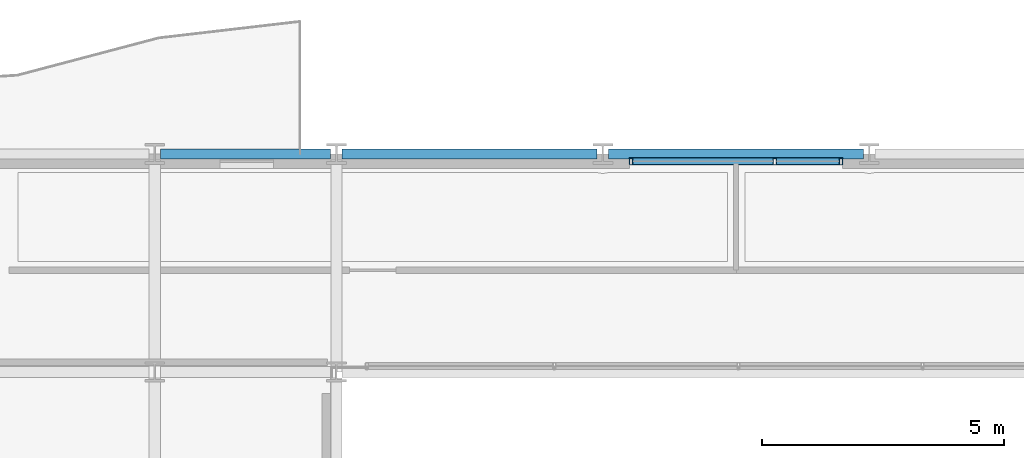
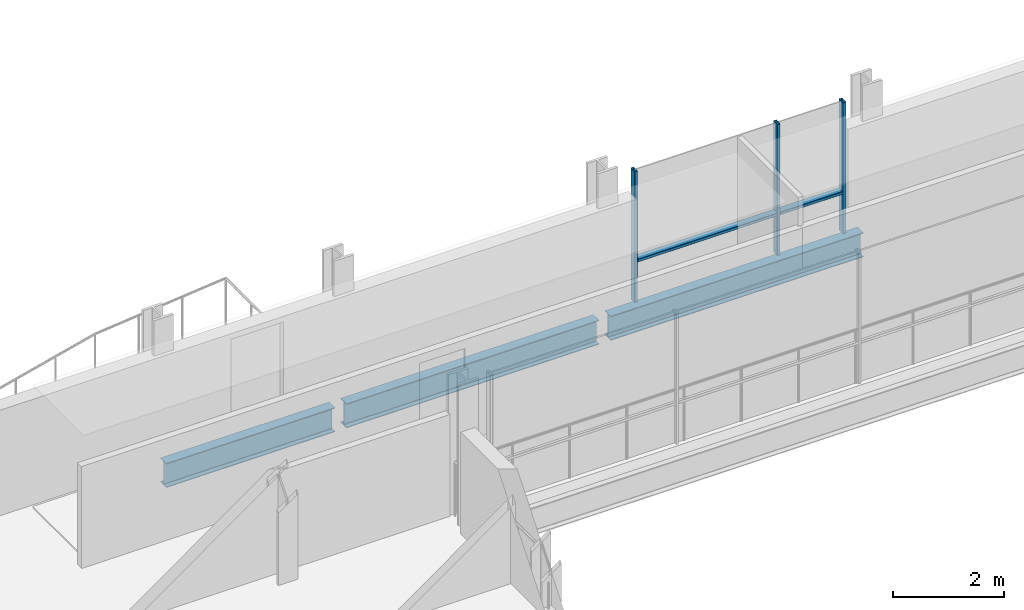
# One storey, part 22 of 41: 5 members, 3 beams, 1 element without a shape of its own.
"""IFC4 building model written with IfcOpenShell, lengths in metres."""

from ifc_helpers import new_model, si_unit, direction, frame, origin, origin_2d, place, context, subcontext, project, spatial, hollow_rectangle, i_section, extrude, material, layer, layer_set, material_profile, profile_set, type_object, element, aggregate, save


model = new_model("IFC4")

# Units and contexts
model_context = context("Model", 3, precision=1e-05, world=origin(), true_north=direction((0.0, 1.0)))
body_context = subcontext(model_context, "Body", "Model", "MODEL_VIEW")
ifc_project = project(units=[si_unit("LENGTHUNIT", "METRE"), si_unit("AREAUNIT", "SQUARE_METRE"), si_unit("VOLUMEUNIT", "CUBIC_METRE"), si_unit("PLANEANGLEUNIT", "RADIAN"), si_unit("MASSUNIT", "GRAM", prefix="KILO")], contexts=[model_context])

# Site, building, storey
site_placement = place(None, origin())
site = spatial("IfcSite", under=ifc_project, at=site_placement, CompositionType="ELEMENT")
building_placement = place(site_placement, origin())
building = spatial("IfcBuilding", under=site, at=building_placement, Name="Brevholm Reach", CompositionType="ELEMENT")
storey_placement = place(building_placement, frame((0.0, 0.0, 100.39990234375)))
storey = spatial("IfcBuildingStorey", under=building, at=storey_placement, Name="L29", CompositionType="ELEMENT", Elevation=100.39990234375)

# Beams
ifc_material_1 = material(Name="Structural Steel S355J2", Category="steel")
ifc_material_profile_1 = material_profile(ifc_material_1, i_section(OverallWidth=0.209228515625, OverallDepth=0.533203125, WebThickness=0.010009765625, FlangeThickness=0.015625, FilletRadius=0.0126953125, at=origin_2d()), Name="UKB 533x210x92")
ifc_profile_set_1 = profile_set([ifc_material_profile_1], Name="Structural Steel S355J2")
beam_type = type_object("IfcBeamType", Name="BM-SP533", PredefinedType="SPANDREL", material=ifc_profile_set_1)
beam_placement = place(storey_placement, frame((18.1201171875, 31.0, -0.486572265625), z_axis=(1.0, 0.0, 0.0), x_axis=(0.0, 1.0, 0.0)))
element("IfcBeam", 1, at=beam_placement, inside=storey, type_object=beam_type, Name="L29 SP-02 Framing Beam", PredefinedType="SPANDREL", context=body_context, shape_type="SweptSolid", body=[
    extrude(i_section(OverallWidth=0.209228515625, OverallDepth=0.533203125, WebThickness=0.010009765625, FlangeThickness=0.015625, FilletRadius=0.0126953125, at=origin_2d()), origin(), (0.0, 0.0, 1.0), 3.509765625),
])
for number, where, z_axis, x_axis, name in (
    (2, (21.8701171875, 31.0, -0.486572265625), (1.0, 0.0, 0.0), (0.0, 1.0, 0.0), "L29 SP-02 Framing Beam"),
    (3, (27.3701171875, 31.0, -0.486572265625), (1.0, 0.0, 0.0), (0.0, 1.0, 0.0), "L29 SP-02 Framing Beam"),
):
    element("IfcBeam", number, at=place(storey_placement, frame(where, z_axis=z_axis, x_axis=x_axis)), inside=storey, type_object=beam_type, Name=name, PredefinedType="SPANDREL", context=body_context, shape_type="SweptSolid", body=[
        extrude(i_section(OverallWidth=0.209228515625, OverallDepth=0.533203125, WebThickness=0.010009765625, FlangeThickness=0.015625, FilletRadius=0.0126953125, at=origin_2d()), origin(), (0.0, 0.0, 1.0), 5.259765625),
    ])

# Curtain wall, members
ifc_material_2 = material(Name="Dark Anodised Aluminium 6063-T6 and Solar-Control Glass", Category="aluminium")
ifc_layer = layer(ifc_material_2, 0.14990234375)
ifc_layer_set = layer_set([ifc_layer], Name="Dark Anodised Aluminium 6063-T6 and Solar-Control Glass")
curtain_wall_type = type_object("IfcCurtainWallType", Name="CW-01", PredefinedType="NOTDEFINED", material=ifc_layer_set)
curtain_wall_placement = place(storey_placement, origin())
curtain_wall = element("IfcCurtainWall", 4, at=curtain_wall_placement, inside=storey, type_object=curtain_wall_type, Name="L29 Curtain Wall CW-01", PredefinedType="NOTDEFINED")
ifc_material_3 = material(Name="Dark Anodised Aluminium 6063-T6", Category="aluminium")
ifc_material_profile_2 = material_profile(ifc_material_3, hollow_rectangle(XDim=0.06494140625, YDim=0.14990234375, WallThickness=0.0048828125, InnerFilletRadius=0.0048828125, OuterFilletRadius=0.010009765625, at=origin_2d()), Name="RHS 150x65x5")
ifc_profile_set_2 = profile_set([ifc_material_profile_2], Name="Dark Anodised Aluminium 6063-T6")
member_type_1 = type_object("IfcMemberType", Name="CWM-150", PredefinedType="MULLION", material=ifc_profile_set_2)
member_1_placement = place(storey_placement, frame((27.83251953125, 30.85009765625, 0.0), z_axis=(0.0, 0.0, 1.0), x_axis=(1.0, 0.0, 0.0)))
member_1 = element("IfcMember", 5, at=member_1_placement, type_object=member_type_1, Name="CM-150 Mullion 1", PredefinedType="MULLION", context=body_context, shape_type="SweptSolid", body=[
    extrude(hollow_rectangle(XDim=0.06494140625, YDim=0.14990234375, WallThickness=0.0048828125, InnerFilletRadius=0.0048828125, OuterFilletRadius=0.010009765625, at=origin_2d()), origin(), (0.0, 0.0, 1.0), 2.880126953125),
])
member_2_placement = place(storey_placement, frame((30.800048828125, 30.85009765625, 0.0), z_axis=(0.0, 0.0, 1.0), x_axis=(1.0, 0.0, 0.0)))
member_2 = element("IfcMember", 6, at=member_2_placement, type_object=member_type_1, Name="CM-150 Mullion 2", PredefinedType="MULLION", context=body_context, shape_type="SweptSolid", body=[
    extrude(hollow_rectangle(XDim=0.06494140625, YDim=0.14990234375, WallThickness=0.0048828125, InnerFilletRadius=0.0048828125, OuterFilletRadius=0.010009765625, at=origin_2d()), origin(), (0.0, 0.0, 1.0), 2.880126953125),
])
member_3_placement = place(storey_placement, frame((32.16748046875, 30.85009765625, 0.0), z_axis=(0.0, 0.0, 1.0), x_axis=(1.0, 0.0, 0.0)))
member_3 = element("IfcMember", 7, at=member_3_placement, type_object=member_type_1, Name="CM-150 Mullion 3", PredefinedType="MULLION", context=body_context, shape_type="SweptSolid", body=[
    extrude(hollow_rectangle(XDim=0.06494140625, YDim=0.14990234375, WallThickness=0.0048828125, InnerFilletRadius=0.0048828125, OuterFilletRadius=0.010009765625, at=origin_2d()), origin(), (0.0, 0.0, 1.0), 2.880126953125),
])
ifc_material_4 = material(Name="Dark Anodised Aluminium 6063-T6", Category="aluminium")
ifc_material_profile_3 = material_profile(ifc_material_4, hollow_rectangle(XDim=0.06494140625, YDim=0.14990234375, WallThickness=0.0048828125, InnerFilletRadius=0.0048828125, OuterFilletRadius=0.010009765625, at=origin_2d()), Name="RHS 150x65x5")
ifc_profile_set_3 = profile_set([ifc_material_profile_3], Name="Dark Anodised Aluminium 6063-T6")
member_type_2 = type_object("IfcMemberType", Name="CWT-150", PredefinedType="NOTDEFINED", material=ifc_profile_set_3)
member_4_placement = place(storey_placement, frame((27.864990234375, 30.85009765625, 0.900146484375), z_axis=(1.0, 0.0, 0.0), x_axis=(0.0, 0.0, 1.0)))
member_4 = element("IfcMember", 8, at=member_4_placement, type_object=member_type_2, Name="CT-150 Transom 1.1", ObjectType="TRANSOM", PredefinedType="USERDEFINED", context=body_context, shape_type="SweptSolid", body=[
    extrude(hollow_rectangle(XDim=0.06494140625, YDim=0.14990234375, WallThickness=0.0048828125, InnerFilletRadius=0.0048828125, OuterFilletRadius=0.010009765625, at=origin_2d()), origin(), (0.0, 0.0, 1.0), 2.902587890625),
])
member_5_placement = place(storey_placement, frame((30.83251953125, 30.85009765625, 0.900146484375), z_axis=(1.0, 0.0, 0.0), x_axis=(0.0, 0.0, 1.0)))
member_5 = element("IfcMember", 9, at=member_5_placement, type_object=member_type_2, Name="CT-150 Transom 2.1", ObjectType="TRANSOM", PredefinedType="USERDEFINED", context=body_context, shape_type="SweptSolid", body=[
    extrude(hollow_rectangle(XDim=0.06494140625, YDim=0.14990234375, WallThickness=0.0048828125, InnerFilletRadius=0.0048828125, OuterFilletRadius=0.010009765625, at=origin_2d()), origin(), (0.0, 0.0, 1.0), 1.302490234375),
])
aggregate(curtain_wall, [member_1, member_2, member_3, member_4, member_5])

save(model, "model.ifc")
